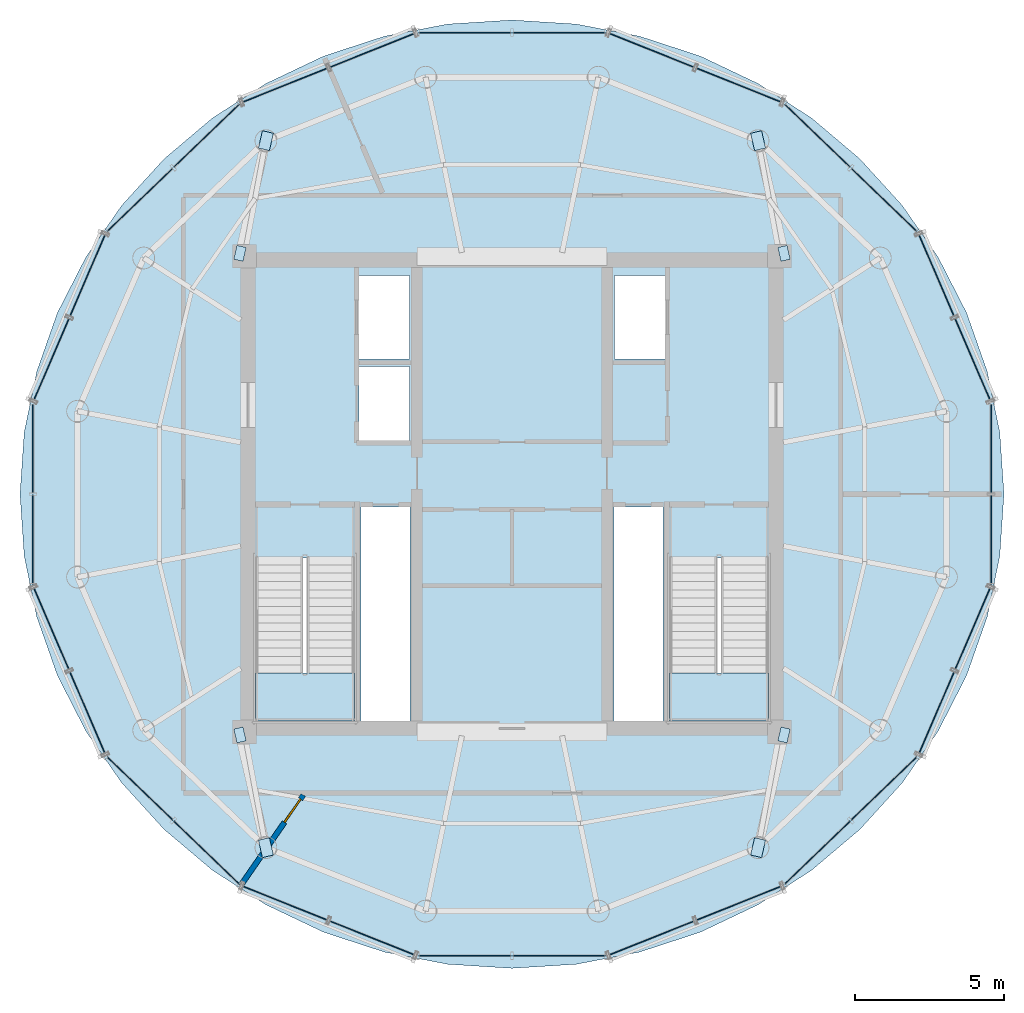
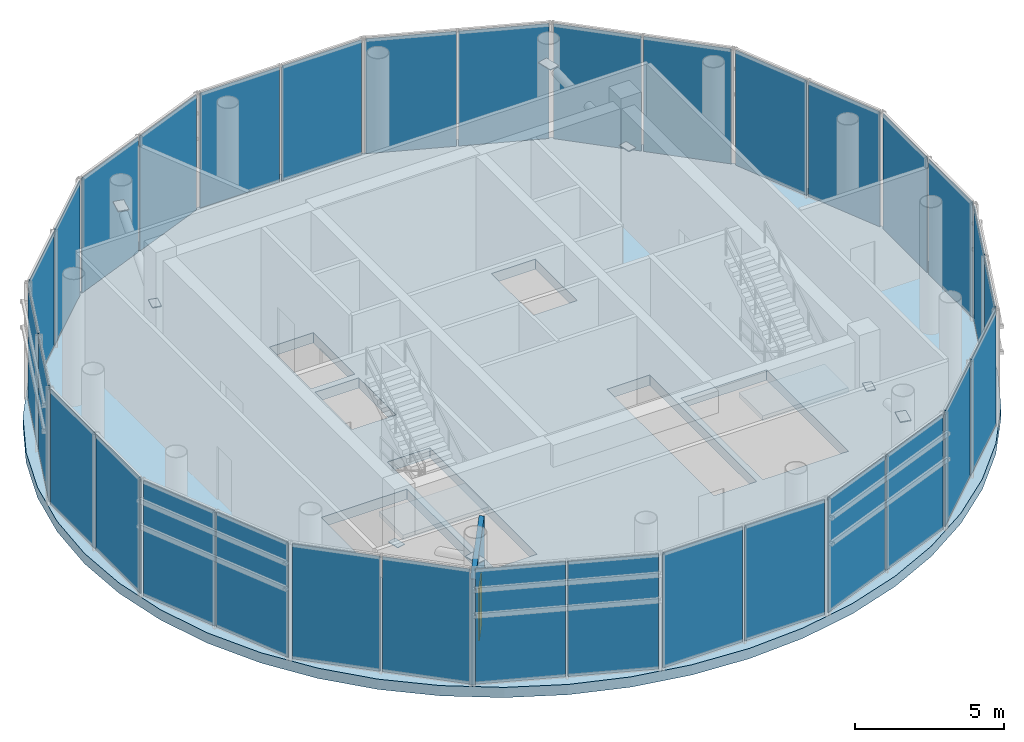
# One storey, part 10 of 14: 40 plates, 3 slabs, 1 door, 1 wall, 1 opening, 18 elements without a shape of their own.
"""IFC4 building model written with IfcOpenShell, lengths in metres."""

from ifc_helpers import new_model, si_unit, direction, frame, frame_2d, origin, origin_2d, place, context, subcontext, project, spatial, polyline, rectangle, outline, extrude, source, transform, mapped, material, layer, layer_set, type_object, element, fill, aggregate, save


model = new_model("IFC4")

# Units and contexts
model_context = context("Model", 3, precision=1e-05, world=origin(), true_north=direction((-0.2419218956, 0.970295726276)))
body_context = subcontext(model_context, "Body", "Model", "MODEL_VIEW")
ifc_project = project(units=[si_unit("LENGTHUNIT", "METRE"), si_unit("AREAUNIT", "SQUARE_METRE"), si_unit("VOLUMEUNIT", "CUBIC_METRE"), si_unit("PLANEANGLEUNIT", "RADIAN"), si_unit("MASSUNIT", "GRAM", prefix="KILO")], contexts=[model_context])

# Site, building, storey
site_placement = place(None, origin())
site = spatial("IfcSite", under=ifc_project, at=site_placement, CompositionType="ELEMENT")
building_placement = place(site_placement, origin())
building = spatial("IfcBuilding", under=site, at=building_placement, Name="Cobrevalo Terracotta Tower", CompositionType="ELEMENT")
storey_placement = place(building_placement, frame((0.0, 0.0, 326.89990234375)))
storey = spatial("IfcBuildingStorey", under=building, at=storey_placement, Name="L84", CompositionType="ELEMENT", Elevation=326.89990234375)

# Slab
ifc_material_1 = material(Name="Concrete C50", Category="concrete")
ifc_layer_1 = layer(ifc_material_1, 0.419921875)
ifc_layer_set_1 = layer_set([ifc_layer_1], Name="Concrete C50")
slab_type_1 = type_object("IfcSlabType", Name="Crown transfer mechanical deck 420 mm", PredefinedType="FLOOR", material=ifc_layer_set_1)
slab_1_placement = place(storey_placement, frame((0.0, 0.0, -0.419921875)))
element("IfcSlab", 1, at=slab_1_placement, inside=storey, type_object=slab_type_1, Name="L84 indoor elliptical floor slab", PredefinedType="FLOOR", context=body_context, shape_type="SweptSolid", body=[
    extrude(outline(polyline([(54.408447265625, 24.718017578125), (53.986083984375, 22.671875), (53.290283203125, 20.6962890625), (52.332763671875, 18.824951171875), (51.1298828125, 17.09033203125), (49.70263671875, 15.521728515625), (48.074951171875, 14.14599609375), (46.27490234375, 12.98681640625), (44.33349609375, 12.064208984375), (42.283447265625, 11.3935546875), (40.16015625, 10.986328125), (38.0, 10.85009765625), (35.83984375, 10.986328125), (33.716552734375, 11.3935546875), (31.66650390625, 12.064208984375), (29.72509765625, 12.98681640625), (27.925048828125, 14.14599609375), (26.29736328125, 15.521728515625), (24.8701171875, 17.09033203125), (23.667236328125, 18.824951171875), (22.709716796875, 20.6962890625), (22.013916015625, 22.671875), (21.591552734375, 24.718017578125), (21.449951171875, 26.800048828125), (21.591552734375, 28.8818359375), (22.013916015625, 30.92822265625), (22.709716796875, 32.90380859375), (23.667236328125, 34.77490234375), (24.8701171875, 36.509765625), (26.29736328125, 38.078369140625), (27.925048828125, 39.4541015625), (29.72509765625, 40.613037109375), (31.66650390625, 41.535888671875), (33.716552734375, 42.20654296875), (35.83984375, 42.613525390625), (38.0, 42.75), (40.16015625, 42.613525390625), (42.283447265625, 42.20654296875), (44.33349609375, 41.535888671875), (46.27490234375, 40.613037109375), (48.074951171875, 39.4541015625), (49.70263671875, 38.078369140625), (51.1298828125, 36.509765625), (52.332763671875, 34.77490234375), (53.290283203125, 32.90380859375), (53.986083984375, 30.92822265625), (54.408447265625, 28.8818359375), (54.550048828125, 26.800048828125), (54.408447265625, 24.718017578125)]), holes=[polyline([(32.695068359375, 24.659912109375), (29.375, 24.659912109375), (29.375, 19.175048828125), (32.695068359375, 19.175048828125), (32.695068359375, 24.659912109375)]), polyline([(46.625, 19.175048828125), (46.625, 24.659912109375), (43.304931640625, 24.659912109375), (43.304931640625, 19.175048828125), (46.625, 19.175048828125)]), polyline([(34.574951171875, 26.360107421875), (32.919921875, 26.360107421875), (32.919921875, 19.175048828125), (34.574951171875, 19.175048828125), (34.574951171875, 26.360107421875)]), polyline([(43.080078125, 26.360107421875), (41.425048828125, 26.360107421875), (41.425048828125, 19.175048828125), (43.080078125, 19.175048828125), (43.080078125, 26.360107421875)]), polyline([(34.550048828125, 31.10009765625), (32.85009765625, 31.10009765625), (32.85009765625, 28.60009765625), (34.550048828125, 28.60009765625), (34.550048828125, 31.10009765625)]), polyline([(34.550048828125, 34.14990234375), (32.85009765625, 34.14990234375), (32.85009765625, 31.35009765625), (34.550048828125, 31.35009765625), (34.550048828125, 34.14990234375)]), polyline([(43.14990234375, 34.14990234375), (41.449951171875, 34.14990234375), (41.449951171875, 31.35009765625), (43.14990234375, 31.35009765625), (43.14990234375, 34.14990234375)])]), origin(), (0.0, 0.0, 1.0), 0.419921875),
])

# Stair, slab
stair_type = type_object("IfcStairType", Name="Core protected escape dogleg stair 1600", PredefinedType="HALF_TURN_STAIR", material=ifc_material_1)
stair_1_placement = place(storey_placement, origin())
stair_1 = element("IfcStair", 2, at=stair_1_placement, inside=storey, type_object=stair_type, Name="L84 Protected exit stair ST-1", PredefinedType="HALF_TURN_STAIR")
ifc_layer_2 = layer(ifc_material_1, 0.199951171875)
ifc_layer_set_2 = layer_set([ifc_layer_2], Name="Concrete C50")
slab_type_2 = type_object("IfcSlabType", Name="Reinforced Concrete Stair Landing 200", PredefinedType="LANDING", material=ifc_layer_set_2)
slab_2_placement = place(storey_placement, frame((0.0, 0.0, 2.400146484375)))
slab_2 = element("IfcSlab", 3, at=slab_2_placement, type_object=slab_type_2, Name="ST-1 landing 1", PredefinedType="LANDING", context=body_context, shape_type="SweptSolid", body=[
    extrude(outline(polyline([(29.375, 20.780029296875), (29.375, 19.175048828125), (32.695068359375, 19.175048828125), (32.695068359375, 20.780029296875), (29.375, 20.780029296875)])), origin(), (0.0, 0.0, 1.0), 0.199951171875),
])
aggregate(stair_1, [slab_2])

stair_2_placement = place(storey_placement, origin())
stair_2 = element("IfcStair", 4, at=stair_2_placement, inside=storey, type_object=stair_type, Name="L84 Protected exit stair ST-2", PredefinedType="HALF_TURN_STAIR")
slab_3_placement = place(storey_placement, frame((0.0, 0.0, 2.400146484375)))
slab_3 = element("IfcSlab", 5, at=slab_3_placement, type_object=slab_type_2, Name="ST-2 landing 1", PredefinedType="LANDING", context=body_context, shape_type="SweptSolid", body=[
    extrude(outline(polyline([(43.304931640625, 20.780029296875), (43.304931640625, 19.175048828125), (46.625, 19.175048828125), (46.625, 20.780029296875), (43.304931640625, 20.780029296875)])), origin(), (0.0, 0.0, 1.0), 0.199951171875),
])
aggregate(stair_2, [slab_3])

# Plates
ifc_material_2 = material(Name="Steel S355", Category="steel")
ifc_layer_3 = layer(ifc_material_2, 0.02490234375)
ifc_layer_set_3 = layer_set([ifc_layer_3], Name="Steel S355")
plate_type_1 = type_object("IfcPlateType", Name="Structural Cap Plate 480x320x25 (Steel S355)", PredefinedType="USERDEFINED", material=ifc_layer_set_3)
shared_shape_1 = source(origin(), body_context, "Body", "SweptSolid", [
    extrude(rectangle(XDim=0.47998046875, YDim=0.320068359375, at=origin_2d()), origin(), (0.0, 0.0, 1.0), 0.02490234375),
])
for number, where, z_axis, x_axis, name in (
    (6, (47.14990234375, 34.89990234375, 2.737548828125), (0.0, 0.0, 1.0), (-0.224221435425, 0.974538222902, 0.0), "L84 hollow end cap plate CAP-CRN0-L84-01"),
    (7, (28.85009765625, 34.89990234375, 2.737548828125), (0.0, 0.0, 1.0), (0.224221435425, 0.974538222902, 0.0), "L84 hollow end cap plate CAP-CRN0-L84-02"),
    (8, (28.85009765625, 18.699951171875, 2.737548828125), (0.0, 0.0, 1.0), (0.224221435425, -0.974538222902, 0.0), "L84 hollow end cap plate CAP-CRN0-L84-03"),
    (9, (47.14990234375, 18.699951171875, 2.737548828125), (0.0, 0.0, 1.0), (-0.224221435425, -0.974538222902, 0.0), "L84 hollow end cap plate CAP-CRN0-L84-04"),
):
    element("IfcPlate", number, at=place(storey_placement, frame(where, z_axis=z_axis, x_axis=x_axis)), inside=storey, type_object=plate_type_1, Name=name, ObjectType="CAP PLATE", PredefinedType="USERDEFINED", context=body_context, shape_type="MappedRepresentation", body=[
        mapped(shared_shape_1, transform((0.0, 0.0, 0.0), scale=1.0)),
    ])
ifc_layer_4 = layer(ifc_material_2, 0.028076171875)
ifc_layer_set_4 = layer_set([ifc_layer_4], Name="Steel S355")
plate_type_2 = type_object("IfcPlateType", Name="Structural Gusset Plate 600x380x28 (Steel S355)", PredefinedType="SHEET", material=ifc_layer_set_4)
shared_shape_2 = source(origin(), body_context, "Body", "SweptSolid", [
    extrude(rectangle(XDim=0.60009765625, YDim=0.3798828125, at=origin_2d()), origin(), (0.0, 0.0, 1.0), 0.028076171875),
])
for number, where, z_axis, x_axis, name in (
    (10, (46.278076171875, 38.68994140625, 4.1162109375), (0.0, 0.0, 1.0), (-0.224221435425, 0.974538222902, 0.0), "L84 hollow end cap plate GUS-CRN1-L84-01"),
    (11, (29.721923828125, 38.68994140625, 4.1162109375), (0.0, 0.0, 1.0), (0.224221435425, 0.974538222902, 0.0), "L84 hollow end cap plate GUS-CRN1-L84-02"),
    (12, (29.721923828125, 14.909912109375, 4.1162109375), (0.0, 0.0, 1.0), (0.224221435425, -0.974538222902, 0.0), "L84 hollow end cap plate GUS-CRN1-L84-03"),
    (13, (46.278076171875, 14.909912109375, 4.1162109375), (0.0, 0.0, 1.0), (-0.224221435425, -0.974538222902, 0.0), "L84 hollow end cap plate GUS-CRN1-L84-04"),
):
    element("IfcPlate", number, at=place(storey_placement, frame(where, z_axis=z_axis, x_axis=x_axis)), inside=storey, type_object=plate_type_2, Name=name, PredefinedType="SHEET", context=body_context, shape_type="MappedRepresentation", body=[
        mapped(shared_shape_2, transform((0.0, 0.0, 0.0), scale=1.0)),
    ])

# Curtain wall, plates
ifc_material_3 = material(Name="Anodized aluminium", Category="aluminium")
curtain_wall_type = type_object("IfcCurtainWallType", Name="Faceted glass-point crown structural glazing system CW-CR", PredefinedType="NOTDEFINED", material=ifc_material_3)
curtain_wall_1_placement = place(storey_placement, origin())
curtain_wall_1 = element("IfcCurtainWall", 14, at=curtain_wall_1_placement, inside=storey, type_object=curtain_wall_type, Name="L84 curtain wall CW-CRN-L84-S01", PredefinedType="NOTDEFINED")
ifc_material_4 = material(Name="Structural laminated low-iron crown glass", Category="glass")
ifc_layer_5 = layer(ifc_material_4, 0.035888671875)
ifc_layer_set_5 = layer_set([ifc_layer_5], Name="Structural laminated low-iron crown glass")
plate_type_3 = type_object("IfcPlateType", Name="Crown faceted low-iron laminated glass panel 36 mm", PredefinedType="CURTAIN_PANEL", material=ifc_layer_set_5)
shared_shape_3 = source(origin(), body_context, "Body", "SweptSolid", [
    extrude(rectangle(XDim=2.985595703125, YDim=0.035888671875, at=origin_2d()), origin(), (0.0, 0.0, 1.0), 4.699951171875),
])
plate_1_placement = place(storey_placement, frame((53.4931640625, 31.333251953125, 0.0400390625), z_axis=(0.0, 0.0, 1.0), x_axis=(-0.394960330504, 0.918698175316, 0.0)))
plate_1 = element("IfcPlate", 15, at=plate_1_placement, type_object=plate_type_3, Name="CW-CRN-L84-S01 glazing panel B01", PredefinedType="CURTAIN_PANEL", context=body_context, shape_type="MappedRepresentation", body=[
    mapped(shared_shape_3, transform((0.0, 0.0, 0.0), scale=1.0)),
])
plate_2_placement = place(storey_placement, frame((52.2822265625, 34.149658203125, 0.0400390625), z_axis=(0.0, 0.0, 1.0), x_axis=(-0.394960330504, 0.918698175316, 0.0)))
plate_2 = element("IfcPlate", 16, at=plate_2_placement, type_object=plate_type_3, Name="CW-CRN-L84-S01 glazing panel B02", PredefinedType="CURTAIN_PANEL", context=body_context, shape_type="MappedRepresentation", body=[
    mapped(shared_shape_3, transform((0.0, 0.0, 0.0), scale=1.0)),
])
aggregate(curtain_wall_1, [plate_1, plate_2])

curtain_wall_2_placement = place(storey_placement, origin())
curtain_wall_2 = element("IfcCurtainWall", 17, at=curtain_wall_2_placement, inside=storey, type_object=curtain_wall_type, Name="L84 curtain wall CW-CRN-L84-S07", PredefinedType="NOTDEFINED")
plate_3_placement = place(storey_placement, frame((23.7177734375, 34.149658203125, 0.0400390625), z_axis=(0.0, 0.0, 1.0), x_axis=(-0.394960330504, -0.918698175316, 0.0)))
plate_3 = element("IfcPlate", 18, at=plate_3_placement, type_object=plate_type_3, Name="CW-CRN-L84-S07 glazing panel B01", PredefinedType="CURTAIN_PANEL", context=body_context, shape_type="MappedRepresentation", body=[
    mapped(shared_shape_3, transform((0.0, 0.0, 0.0), scale=1.0)),
])
plate_4_placement = place(storey_placement, frame((22.5068359375, 31.333251953125, 0.0400390625), z_axis=(0.0, 0.0, 1.0), x_axis=(-0.394960330504, -0.918698175316, 0.0)))
plate_4 = element("IfcPlate", 19, at=plate_4_placement, type_object=plate_type_3, Name="CW-CRN-L84-S07 glazing panel B02", PredefinedType="CURTAIN_PANEL", context=body_context, shape_type="MappedRepresentation", body=[
    mapped(shared_shape_3, transform((0.0, 0.0, 0.0), scale=1.0)),
])
aggregate(curtain_wall_2, [plate_3, plate_4])

curtain_wall_3_placement = place(storey_placement, origin())
curtain_wall_3 = element("IfcCurtainWall", 20, at=curtain_wall_3_placement, inside=storey, type_object=curtain_wall_type, Name="L84 curtain wall CW-CRN-L84-S09", PredefinedType="NOTDEFINED")
plate_5_placement = place(storey_placement, frame((22.5068359375, 22.266845703125, 0.0400390625), z_axis=(0.0, 0.0, 1.0), x_axis=(0.394960330504, -0.918698175316, 0.0)))
plate_5 = element("IfcPlate", 21, at=plate_5_placement, type_object=plate_type_3, Name="CW-CRN-L84-S09 glazing panel B01", PredefinedType="CURTAIN_PANEL", context=body_context, shape_type="MappedRepresentation", body=[
    mapped(shared_shape_3, transform((0.0, 0.0, 0.0), scale=1.0)),
])
plate_6_placement = place(storey_placement, frame((23.7177734375, 19.4501953125, 0.0400390625), z_axis=(0.0, 0.0, 1.0), x_axis=(0.394960330504, -0.918698175316, 0.0)))
plate_6 = element("IfcPlate", 22, at=plate_6_placement, type_object=plate_type_3, Name="CW-CRN-L84-S09 glazing panel B02", PredefinedType="CURTAIN_PANEL", context=body_context, shape_type="MappedRepresentation", body=[
    mapped(shared_shape_3, transform((0.0, 0.0, 0.0), scale=1.0)),
])
aggregate(curtain_wall_3, [plate_5, plate_6])

curtain_wall_4_placement = place(storey_placement, origin())
curtain_wall_4 = element("IfcCurtainWall", 23, at=curtain_wall_4_placement, inside=storey, type_object=curtain_wall_type, Name="L84 curtain wall CW-CRN-L84-S15", PredefinedType="NOTDEFINED")
plate_7_placement = place(storey_placement, frame((52.2822265625, 19.4501953125, 0.0400390625), z_axis=(0.0, 0.0, 1.0), x_axis=(0.394960330504, 0.918698175316, 0.0)))
plate_7 = element("IfcPlate", 24, at=plate_7_placement, type_object=plate_type_3, Name="CW-CRN-L84-S15 glazing panel B01", PredefinedType="CURTAIN_PANEL", context=body_context, shape_type="MappedRepresentation", body=[
    mapped(shared_shape_3, transform((0.0, 0.0, 0.0), scale=1.0)),
])
plate_8_placement = place(storey_placement, frame((53.4931640625, 22.266845703125, 0.0400390625), z_axis=(0.0, 0.0, 1.0), x_axis=(0.394960330504, 0.918698175316, 0.0)))
plate_8 = element("IfcPlate", 25, at=plate_8_placement, type_object=plate_type_3, Name="CW-CRN-L84-S15 glazing panel B02", PredefinedType="CURTAIN_PANEL", context=body_context, shape_type="MappedRepresentation", body=[
    mapped(shared_shape_3, transform((0.0, 0.0, 0.0), scale=1.0)),
])
aggregate(curtain_wall_4, [plate_7, plate_8])

curtain_wall_5_placement = place(storey_placement, origin())
curtain_wall_5 = element("IfcCurtainWall", 26, at=curtain_wall_5_placement, inside=storey, type_object=curtain_wall_type, Name="L84 curtain wall CW-CRN-L84-S02", PredefinedType="NOTDEFINED")
shared_shape_4 = source(origin(), body_context, "Body", "SweptSolid", [
    extrude(rectangle(XDim=3.02734375, YDim=0.035888671875, at=origin_2d()), origin(), (0.0, 0.0, 1.0), 4.699951171875),
])
plate_9_placement = place(storey_placement, frame((50.513427734375, 36.700439453125, 0.0400390625), z_axis=(0.0, 0.0, 1.0), x_axis=(-0.72013345708, 0.693835574178, 0.0)))
plate_9 = element("IfcPlate", 27, at=plate_9_placement, type_object=plate_type_3, Name="CW-CRN-L84-S02 glazing panel B01", PredefinedType="CURTAIN_PANEL", context=body_context, shape_type="MappedRepresentation", body=[
    mapped(shared_shape_4, transform((0.0, 0.0, 0.0), scale=1.0)),
])
plate_10_placement = place(storey_placement, frame((48.275634765625, 38.8564453125, 0.0400390625), z_axis=(0.0, 0.0, 1.0), x_axis=(-0.72013345708, 0.693835574178, 0.0)))
plate_10 = element("IfcPlate", 28, at=plate_10_placement, type_object=plate_type_3, Name="CW-CRN-L84-S02 glazing panel B02", PredefinedType="CURTAIN_PANEL", context=body_context, shape_type="MappedRepresentation", body=[
    mapped(shared_shape_4, transform((0.0, 0.0, 0.0), scale=1.0)),
])
aggregate(curtain_wall_5, [plate_9, plate_10])

curtain_wall_6_placement = place(storey_placement, origin())
curtain_wall_6 = element("IfcCurtainWall", 29, at=curtain_wall_6_placement, inside=storey, type_object=curtain_wall_type, Name="L84 curtain wall CW-CRN-L84-S06", PredefinedType="NOTDEFINED")
plate_11_placement = place(storey_placement, frame((27.724365234375, 38.8564453125, 0.0400390625), z_axis=(0.0, 0.0, 1.0), x_axis=(-0.72013345708, -0.693835574178, 0.0)))
plate_11 = element("IfcPlate", 30, at=plate_11_placement, type_object=plate_type_3, Name="CW-CRN-L84-S06 glazing panel B01", PredefinedType="CURTAIN_PANEL", context=body_context, shape_type="MappedRepresentation", body=[
    mapped(shared_shape_4, transform((0.0, 0.0, 0.0), scale=1.0)),
])
plate_12_placement = place(storey_placement, frame((25.486572265625, 36.700439453125, 0.0400390625), z_axis=(0.0, 0.0, 1.0), x_axis=(-0.72013345708, -0.693835574178, 0.0)))
plate_12 = element("IfcPlate", 31, at=plate_12_placement, type_object=plate_type_3, Name="CW-CRN-L84-S06 glazing panel B02", PredefinedType="CURTAIN_PANEL", context=body_context, shape_type="MappedRepresentation", body=[
    mapped(shared_shape_4, transform((0.0, 0.0, 0.0), scale=1.0)),
])
aggregate(curtain_wall_6, [plate_11, plate_12])

curtain_wall_7_placement = place(storey_placement, origin())
curtain_wall_7 = element("IfcCurtainWall", 32, at=curtain_wall_7_placement, inside=storey, type_object=curtain_wall_type, Name="L84 curtain wall CW-CRN-L84-S10", PredefinedType="NOTDEFINED")
plate_13_placement = place(storey_placement, frame((25.486572265625, 16.899658203125, 0.0400390625), z_axis=(0.0, 0.0, 1.0), x_axis=(0.72013345708, -0.693835574178, 0.0)))
plate_13 = element("IfcPlate", 33, at=plate_13_placement, type_object=plate_type_3, Name="CW-CRN-L84-S10 glazing panel B01", PredefinedType="CURTAIN_PANEL", context=body_context, shape_type="MappedRepresentation", body=[
    mapped(shared_shape_4, transform((0.0, 0.0, 0.0), scale=1.0)),
])
plate_14_placement = place(storey_placement, frame((27.724365234375, 14.74365234375, 0.0400390625), z_axis=(0.0, 0.0, 1.0), x_axis=(0.72013345708, -0.693835574178, 0.0)))
plate_14 = element("IfcPlate", 34, at=plate_14_placement, type_object=plate_type_3, Name="CW-CRN-L84-S10 glazing panel B02", PredefinedType="CURTAIN_PANEL", context=body_context, shape_type="MappedRepresentation", body=[
    mapped(shared_shape_4, transform((0.0, 0.0, 0.0), scale=1.0)),
])
aggregate(curtain_wall_7, [plate_13, plate_14])

curtain_wall_8_placement = place(storey_placement, origin())
curtain_wall_8 = element("IfcCurtainWall", 35, at=curtain_wall_8_placement, inside=storey, type_object=curtain_wall_type, Name="L84 curtain wall CW-CRN-L84-S14", PredefinedType="NOTDEFINED")
plate_15_placement = place(storey_placement, frame((48.275634765625, 14.74365234375, 0.0400390625), z_axis=(0.0, 0.0, 1.0), x_axis=(0.72013345708, 0.693835574178, 0.0)))
plate_15 = element("IfcPlate", 36, at=plate_15_placement, type_object=plate_type_3, Name="CW-CRN-L84-S14 glazing panel B01", PredefinedType="CURTAIN_PANEL", context=body_context, shape_type="MappedRepresentation", body=[
    mapped(shared_shape_4, transform((0.0, 0.0, 0.0), scale=1.0)),
])
plate_16_placement = place(storey_placement, frame((50.513427734375, 16.899658203125, 0.0400390625), z_axis=(0.0, 0.0, 1.0), x_axis=(0.72013345708, 0.693835574178, 0.0)))
plate_16 = element("IfcPlate", 37, at=plate_16_placement, type_object=plate_type_3, Name="CW-CRN-L84-S14 glazing panel B02", PredefinedType="CURTAIN_PANEL", context=body_context, shape_type="MappedRepresentation", body=[
    mapped(shared_shape_4, transform((0.0, 0.0, 0.0), scale=1.0)),
])
aggregate(curtain_wall_8, [plate_15, plate_16])

curtain_wall_9_placement = place(storey_placement, origin())
curtain_wall_9 = element("IfcCurtainWall", 38, at=curtain_wall_9_placement, inside=storey, type_object=curtain_wall_type, Name="L84 curtain wall CW-CRN-L84-S03", PredefinedType="NOTDEFINED")
shared_shape_5 = source(origin(), body_context, "Body", "SweptSolid", [
    extrude(rectangle(XDim=3.068603515625, YDim=0.035888671875, at=origin_2d()), origin(), (0.0, 0.0, 1.0), 4.699951171875),
])
plate_17_placement = place(storey_placement, frame((45.628662109375, 40.560546875, 0.0400390625), z_axis=(0.0, 0.0, 1.0), x_axis=(-0.928768802339, 0.370659563214, 0.0)))
plate_17 = element("IfcPlate", 39, at=plate_17_placement, type_object=plate_type_3, Name="CW-CRN-L84-S03 glazing panel B01", PredefinedType="CURTAIN_PANEL", context=body_context, shape_type="MappedRepresentation", body=[
    mapped(shared_shape_5, transform((0.0, 0.0, 0.0), scale=1.0)),
])
plate_18_placement = place(storey_placement, frame((42.70458984375, 41.7275390625, 0.0400390625), z_axis=(0.0, 0.0, 1.0), x_axis=(-0.928768802339, 0.370659563214, 0.0)))
plate_18 = element("IfcPlate", 40, at=plate_18_placement, type_object=plate_type_3, Name="CW-CRN-L84-S03 glazing panel B02", PredefinedType="CURTAIN_PANEL", context=body_context, shape_type="MappedRepresentation", body=[
    mapped(shared_shape_5, transform((0.0, 0.0, 0.0), scale=1.0)),
])
aggregate(curtain_wall_9, [plate_17, plate_18])

curtain_wall_10_placement = place(storey_placement, origin())
curtain_wall_10 = element("IfcCurtainWall", 41, at=curtain_wall_10_placement, inside=storey, type_object=curtain_wall_type, Name="L84 curtain wall CW-CRN-L84-S05", PredefinedType="NOTDEFINED")
plate_19_placement = place(storey_placement, frame((33.29541015625, 41.7275390625, 0.0400390625), z_axis=(0.0, 0.0, 1.0), x_axis=(-0.928768802339, -0.370659563214, 0.0)))
plate_19 = element("IfcPlate", 42, at=plate_19_placement, type_object=plate_type_3, Name="CW-CRN-L84-S05 glazing panel B01", PredefinedType="CURTAIN_PANEL", context=body_context, shape_type="MappedRepresentation", body=[
    mapped(shared_shape_5, transform((0.0, 0.0, 0.0), scale=1.0)),
])
plate_20_placement = place(storey_placement, frame((30.371337890625, 40.560546875, 0.0400390625), z_axis=(0.0, 0.0, 1.0), x_axis=(-0.928768802339, -0.370659563214, 0.0)))
plate_20 = element("IfcPlate", 43, at=plate_20_placement, type_object=plate_type_3, Name="CW-CRN-L84-S05 glazing panel B02", PredefinedType="CURTAIN_PANEL", context=body_context, shape_type="MappedRepresentation", body=[
    mapped(shared_shape_5, transform((0.0, 0.0, 0.0), scale=1.0)),
])
aggregate(curtain_wall_10, [plate_19, plate_20])

curtain_wall_11_placement = place(storey_placement, origin())
curtain_wall_11 = element("IfcCurtainWall", 44, at=curtain_wall_11_placement, inside=storey, type_object=curtain_wall_type, Name="L84 curtain wall CW-CRN-L84-S11", PredefinedType="NOTDEFINED")
plate_21_placement = place(storey_placement, frame((30.371337890625, 13.03955078125, 0.0400390625), z_axis=(0.0, 0.0, 1.0), x_axis=(0.928768802339, -0.370659563214, 0.0)))
plate_21 = element("IfcPlate", 45, at=plate_21_placement, type_object=plate_type_3, Name="CW-CRN-L84-S11 glazing panel B01", PredefinedType="CURTAIN_PANEL", context=body_context, shape_type="MappedRepresentation", body=[
    mapped(shared_shape_5, transform((0.0, 0.0, 0.0), scale=1.0)),
])
plate_22_placement = place(storey_placement, frame((33.29541015625, 11.87255859375, 0.0400390625), z_axis=(0.0, 0.0, 1.0), x_axis=(0.928768802339, -0.370659563214, 0.0)))
plate_22 = element("IfcPlate", 46, at=plate_22_placement, type_object=plate_type_3, Name="CW-CRN-L84-S11 glazing panel B02", PredefinedType="CURTAIN_PANEL", context=body_context, shape_type="MappedRepresentation", body=[
    mapped(shared_shape_5, transform((0.0, 0.0, 0.0), scale=1.0)),
])
aggregate(curtain_wall_11, [plate_21, plate_22])

curtain_wall_12_placement = place(storey_placement, origin())
curtain_wall_12 = element("IfcCurtainWall", 47, at=curtain_wall_12_placement, inside=storey, type_object=curtain_wall_type, Name="L84 curtain wall CW-CRN-L84-S13", PredefinedType="NOTDEFINED")
plate_23_placement = place(storey_placement, frame((42.70458984375, 11.87255859375, 0.0400390625), z_axis=(0.0, 0.0, 1.0), x_axis=(0.928768802339, 0.370659563214, 0.0)))
plate_23 = element("IfcPlate", 48, at=plate_23_placement, type_object=plate_type_3, Name="CW-CRN-L84-S13 glazing panel B01", PredefinedType="CURTAIN_PANEL", context=body_context, shape_type="MappedRepresentation", body=[
    mapped(shared_shape_5, transform((0.0, 0.0, 0.0), scale=1.0)),
])
plate_24_placement = place(storey_placement, frame((45.628662109375, 13.03955078125, 0.0400390625), z_axis=(0.0, 0.0, 1.0), x_axis=(0.928768802339, 0.370659563214, 0.0)))
plate_24 = element("IfcPlate", 49, at=plate_24_placement, type_object=plate_type_3, Name="CW-CRN-L84-S13 glazing panel B02", PredefinedType="CURTAIN_PANEL", context=body_context, shape_type="MappedRepresentation", body=[
    mapped(shared_shape_5, transform((0.0, 0.0, 0.0), scale=1.0)),
])
aggregate(curtain_wall_12, [plate_23, plate_24])

curtain_wall_13_placement = place(storey_placement, origin())
curtain_wall_13 = element("IfcCurtainWall", 50, at=curtain_wall_13_placement, inside=storey, type_object=curtain_wall_type, Name="L84 curtain wall CW-CRN-L84-S04", PredefinedType="NOTDEFINED")
shared_shape_6 = source(origin(), body_context, "Body", "SweptSolid", [
    extrude(rectangle(XDim=3.085205078125, YDim=0.035888671875, at=origin_2d()), origin(), (0.0, 0.0, 1.0), 4.699951171875),
])
plate_25_placement = place(storey_placement, frame((39.582763671875, 42.325927734375, 0.0400390625), z_axis=(0.0, 0.0, 1.0), x_axis=(-1.0, 0.0, 0.0)))
plate_25 = element("IfcPlate", 51, at=plate_25_placement, type_object=plate_type_3, Name="CW-CRN-L84-S04 glazing panel B01", PredefinedType="CURTAIN_PANEL", context=body_context, shape_type="MappedRepresentation", body=[
    mapped(shared_shape_6, transform((0.0, 0.0, 0.0), scale=1.0)),
])
plate_26_placement = place(storey_placement, frame((36.417236328125, 42.325927734375, 0.0400390625), z_axis=(0.0, 0.0, 1.0), x_axis=(-1.0, 0.0, 0.0)))
plate_26 = element("IfcPlate", 52, at=plate_26_placement, type_object=plate_type_3, Name="CW-CRN-L84-S04 glazing panel B02", PredefinedType="CURTAIN_PANEL", context=body_context, shape_type="MappedRepresentation", body=[
    mapped(shared_shape_6, transform((0.0, 0.0, 0.0), scale=1.0)),
])
aggregate(curtain_wall_13, [plate_25, plate_26])

curtain_wall_14_placement = place(storey_placement, origin())
curtain_wall_14 = element("IfcCurtainWall", 53, at=curtain_wall_14_placement, inside=storey, type_object=curtain_wall_type, Name="L84 curtain wall CW-CRN-L84-S12", PredefinedType="NOTDEFINED")
plate_27_placement = place(storey_placement, frame((36.417236328125, 11.274169921875, 0.0400390625), z_axis=(0.0, 0.0, 1.0), x_axis=(1.0, 0.0, 0.0)))
plate_27 = element("IfcPlate", 54, at=plate_27_placement, type_object=plate_type_3, Name="CW-CRN-L84-S12 glazing panel B01", PredefinedType="CURTAIN_PANEL", context=body_context, shape_type="MappedRepresentation", body=[
    mapped(shared_shape_6, transform((0.0, 0.0, 0.0), scale=1.0)),
])
plate_28_placement = place(storey_placement, frame((39.582763671875, 11.274169921875, 0.0400390625), z_axis=(0.0, 0.0, 1.0), x_axis=(1.0, 0.0, 0.0)))
plate_28 = element("IfcPlate", 55, at=plate_28_placement, type_object=plate_type_3, Name="CW-CRN-L84-S12 glazing panel B02", PredefinedType="CURTAIN_PANEL", context=body_context, shape_type="MappedRepresentation", body=[
    mapped(shared_shape_6, transform((0.0, 0.0, 0.0), scale=1.0)),
])
aggregate(curtain_wall_14, [plate_27, plate_28])

curtain_wall_15_placement = place(storey_placement, origin())
curtain_wall_15 = element("IfcCurtainWall", 56, at=curtain_wall_15_placement, inside=storey, type_object=curtain_wall_type, Name="L84 curtain wall CW-CRN-L84-S08", PredefinedType="NOTDEFINED")
shared_shape_7 = source(origin(), body_context, "Body", "SweptSolid", [
    extrude(rectangle(XDim=2.96826171875, YDim=0.035888671875, at=origin_2d()), origin(), (0.0, 0.0, 1.0), 4.699951171875),
])
plate_29_placement = place(storey_placement, frame((21.8857421875, 28.32421875, 0.0400390625), z_axis=(0.0, 0.0, 1.0), x_axis=(0.0, -1.0, 0.0)))
plate_29 = element("IfcPlate", 57, at=plate_29_placement, type_object=plate_type_3, Name="CW-CRN-L84-S08 glazing panel B01", PredefinedType="CURTAIN_PANEL", context=body_context, shape_type="MappedRepresentation", body=[
    mapped(shared_shape_7, transform((0.0, 0.0, 0.0), scale=1.0)),
])
plate_30_placement = place(storey_placement, frame((21.8857421875, 25.27587890625, 0.0400390625), z_axis=(0.0, 0.0, 1.0), x_axis=(0.0, -1.0, 0.0)))
plate_30 = element("IfcPlate", 58, at=plate_30_placement, type_object=plate_type_3, Name="CW-CRN-L84-S08 glazing panel B02", PredefinedType="CURTAIN_PANEL", context=body_context, shape_type="MappedRepresentation", body=[
    mapped(shared_shape_7, transform((0.0, 0.0, 0.0), scale=1.0)),
])
aggregate(curtain_wall_15, [plate_29, plate_30])

curtain_wall_16_placement = place(storey_placement, origin())
curtain_wall_16 = element("IfcCurtainWall", 59, at=curtain_wall_16_placement, inside=storey, type_object=curtain_wall_type, Name="L84 curtain wall CW-CRN-L84-S16", PredefinedType="NOTDEFINED")
plate_31_placement = place(storey_placement, frame((54.1142578125, 25.27587890625, 0.0400390625), z_axis=(0.0, 0.0, 1.0), x_axis=(0.0, 1.0, 0.0)))
plate_31 = element("IfcPlate", 60, at=plate_31_placement, type_object=plate_type_3, Name="CW-CRN-L84-S16 glazing panel B01", PredefinedType="CURTAIN_PANEL", context=body_context, shape_type="MappedRepresentation", body=[
    mapped(shared_shape_7, transform((0.0, 0.0, 0.0), scale=1.0)),
])
plate_32_placement = place(storey_placement, frame((54.1142578125, 28.32421875, 0.0400390625), z_axis=(0.0, 0.0, 1.0), x_axis=(0.0, 1.0, 0.0)))
plate_32 = element("IfcPlate", 61, at=plate_32_placement, type_object=plate_type_3, Name="CW-CRN-L84-S16 glazing panel B02", PredefinedType="CURTAIN_PANEL", context=body_context, shape_type="MappedRepresentation", body=[
    mapped(shared_shape_7, transform((0.0, 0.0, 0.0), scale=1.0)),
])
aggregate(curtain_wall_16, [plate_31, plate_32])

# Wall, opening, door
ifc_material_5 = material(Name="Gypsum board on steel stud", Category="steel")
ifc_layer_6 = layer(ifc_material_5, 0.179931640625)
ifc_layer_set_6 = layer_set([ifc_layer_6], Name="Gypsum board on steel stud")
wall_type = type_object("IfcWallType", Name="Fire-rated shaft & lobby acoustic partition wall 180 mm", PredefinedType="PARTITIONING", material=ifc_layer_set_6)
wall_placement = place(storey_placement, frame((30.9794921875, 16.674072265625, 0.0), z_axis=(0.0, 0.0, 1.0), x_axis=(-0.569738046405, -0.82182635543, 0.0)))
wall = element("IfcWall", 62, at=wall_placement, inside=storey, type_object=wall_type, Name="L84 interior partition IW-L84-CW3", PredefinedType="PARTITIONING", context=body_context, shape_type="SweptSolid", body=[
    extrude(rectangle(XDim=3.701416015625, YDim=0.179931640625, at=frame_2d((1.8505859375, 0.0))), origin(), (0.0, 0.0, 1.0), 4.35205078125),
])
opening_placement = place(wall_placement, frame((0.159912109375, 0.0, 0.0)))
opening = element("IfcOpeningElement", 63, at=opening_placement, cuts=wall, Name="Opening ID-04", PredefinedType="OPENING", context=body_context, shape_type="SweptSolid", body=[
    extrude(rectangle(XDim=0.949951171875, YDim=2.14990234375, at=frame_2d((0.47509765625, 1.074951171875))), frame((0.0, 0.10009765625, 0.0), z_axis=(0.0, -1.0, 0.0), x_axis=(1.0, 0.0, 0.0)), (0.0, 0.0, 1.0), 0.199951171875),
])
ifc_material_6 = material(Name="Galvanized fire-rated steel", Category="steel")
door_type = type_object("IfcDoorType", Name="Stair & firefighting lobby fire door 950x2150 EI 90", OperationType="NOTDEFINED", PredefinedType="DOOR", material=ifc_material_6)
shared_shape_8 = source(origin(), body_context, "Body", "SweptSolid", [
    extrude(rectangle(XDim=0.949951171875, YDim=2.14990234375, at=frame_2d((0.47509765625, 1.074951171875))), frame((0.0, 0.02490234375, 0.0), z_axis=(0.0, -1.0, 0.0), x_axis=(1.0, 0.0, 0.0)), (0.0, 0.0, 1.0), 0.050048828125),
])
door_placement = place(opening_placement, origin())
door = element("IfcDoor", 64, at=door_placement, inside=storey, type_object=door_type, Name="L84 crown plant interconnecting fire door 3", OperationType="SINGLE_SWING_LEFT", OverallHeight=2.14990234375, OverallWidth=0.949951171875, PredefinedType="DOOR", context=body_context, shape_type="MappedRepresentation", body=[
    mapped(shared_shape_8, transform((0.0, 0.0, 0.0), scale=1.0)),
])
fill(opening, door)

save(model, "model.ifc")
